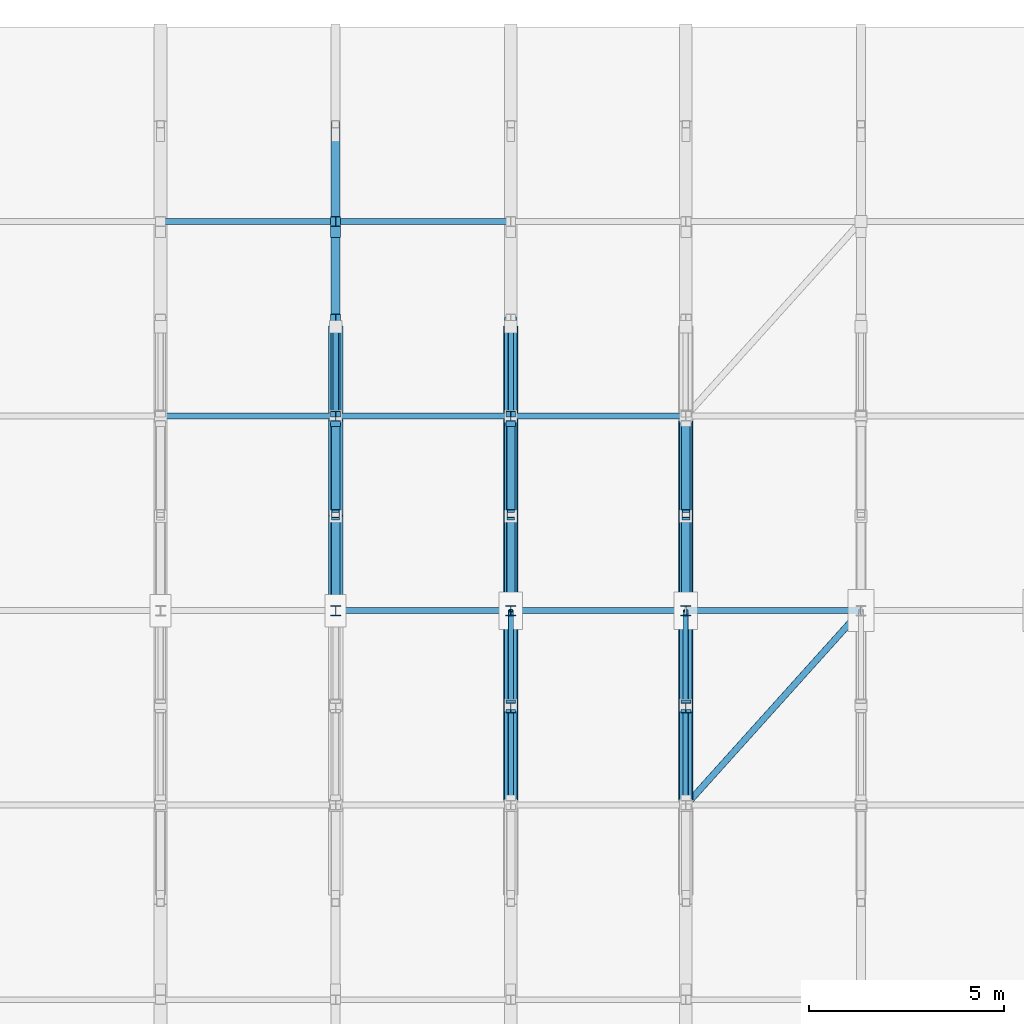
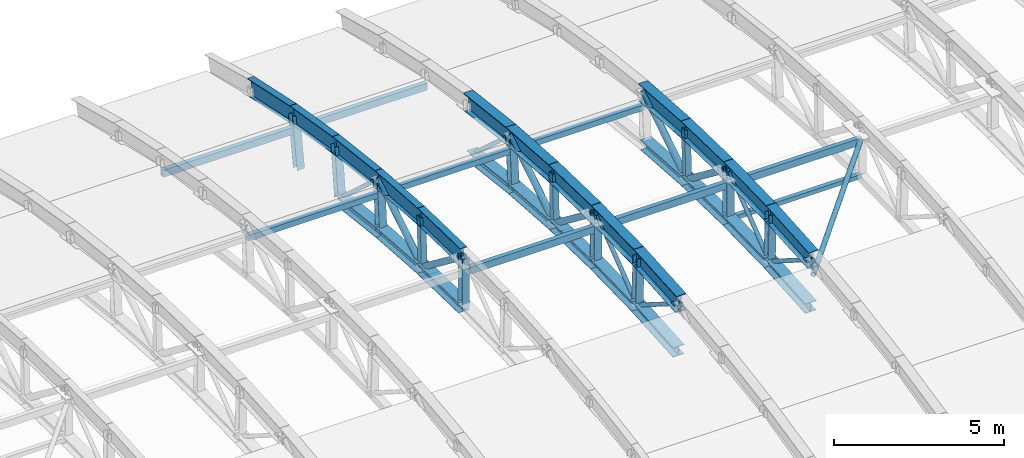
# One storey, part 13 of 53: 46 members, 14 beams.
"""IFC4 building model written with IfcOpenShell, lengths in metres."""

from ifc_helpers import new_model, si_unit, direction, frame, origin, origin_2d, place, context, subcontext, project, spatial, hollow_rectangle, hollow_circle, i_section, extrude, material, material_profile, profile_set, type_object, element, save


model = new_model("IFC4")

# Units and contexts
model_context = context("Model", 3, precision=1e-05, world=origin(), true_north=direction((0.0, 1.0)))
body_context = subcontext(model_context, "Body", "Model", "MODEL_VIEW")
ifc_project = project(units=[si_unit("LENGTHUNIT", "METRE"), si_unit("AREAUNIT", "SQUARE_METRE"), si_unit("VOLUMEUNIT", "CUBIC_METRE"), si_unit("PLANEANGLEUNIT", "RADIAN"), si_unit("MASSUNIT", "GRAM", prefix="KILO")], contexts=[model_context])

# Site, building, storey
site_placement = place(None, origin())
site = spatial("IfcSite", under=ifc_project, at=site_placement, CompositionType="ELEMENT")
building_placement = place(site_placement, origin())
building = spatial("IfcBuilding", under=site, at=building_placement, Name="Cazmaro Siding Exhibition Halls", CompositionType="ELEMENT")
storey_placement = place(building_placement, frame((0.0, 0.0, 21.0)))
storey = spatial("IfcBuildingStorey", under=building, at=storey_placement, Name="L04", CompositionType="ELEMENT", Elevation=21.0)

# Beams
ifc_material_1 = material(Name="Steel ASTM A992 Grade 50", Category="steel")
ifc_material_profile_1 = material_profile(ifc_material_1, i_section(OverallWidth=0.327880859375, OverallDepth=0.626953125, WebThickness=0.01708984375, FlangeThickness=0.028076171875, at=origin_2d()), Name="W24X146")
ifc_profile_set_1 = profile_set([ifc_material_profile_1], Name="Steel ASTM A992 Grade 50")
beam_type_1 = type_object("IfcBeamType", Name="AR-01", PredefinedType="USERDEFINED", material=ifc_profile_set_1)
beam_1_placement = place(storey_placement, frame((72.0, 89.0, 2.26611328125), z_axis=(0.0, 0.997537204184, 0.070139334669), x_axis=(-1.0, 0.0, 0.0)))
element("IfcBeam", 1, at=beam_1_placement, inside=storey, type_object=beam_type_1, Name="Space frame barrel vault arched rib AR-01 BM-0689", ObjectType="ARCHED RIB", PredefinedType="USERDEFINED", context=body_context, shape_type="SweptSolid", body=[
    extrude(i_section(OverallWidth=0.327880859375, OverallDepth=0.626953125, WebThickness=0.01708984375, FlangeThickness=0.028076171875, at=origin_2d()), origin(), (0.0, 0.0, 1.0), 2.506103515625),
])
for number, where, z_axis, x_axis, name in (
    (2, (72.0, 91.5, 2.44189453125), (0.0, 0.999730009742, 0.023235912336), (-1.0, 0.0, 0.0), "Space frame barrel vault arched rib AR-01 BM-0690"),
    (3, (72.0, 94.0, 2.5), (0.0, 0.999730009742, -0.023235912336), (-1.0, 0.0, 0.0), "Space frame barrel vault arched rib AR-01 BM-0691"),
):
    element("IfcBeam", number, at=place(storey_placement, frame(where, z_axis=z_axis, x_axis=x_axis)), inside=storey, type_object=beam_type_1, Name=name, ObjectType="ARCHED RIB", PredefinedType="USERDEFINED", context=body_context, shape_type="SweptSolid", body=[
        extrude(i_section(OverallWidth=0.327880859375, OverallDepth=0.626953125, WebThickness=0.01708984375, FlangeThickness=0.028076171875, at=origin_2d()), origin(), (0.0, 0.0, 1.0), 2.500732421875),
    ])
beam_2_placement = place(storey_placement, frame((72.0, 96.5, 2.44189453125), z_axis=(0.0, 0.997537204184, -0.070139334669), x_axis=(-1.0, 0.0, 0.0)))
element("IfcBeam", 4, at=beam_2_placement, inside=storey, type_object=beam_type_1, Name="Space frame barrel vault arched rib AR-01 BM-0692", ObjectType="ARCHED RIB", PredefinedType="USERDEFINED", context=body_context, shape_type="SweptSolid", body=[
    extrude(i_section(OverallWidth=0.327880859375, OverallDepth=0.626953125, WebThickness=0.01708984375, FlangeThickness=0.028076171875, at=origin_2d()), origin(), (0.0, 0.0, 1.0), 2.506103515625),
])
beam_3_placement = place(storey_placement, frame((72.0, 99.0, 2.26611328125), z_axis=(0.0, 0.993147293786, -0.116869383693), x_axis=(-1.0, 0.0, 0.0)))
element("IfcBeam", 5, at=beam_3_placement, inside=storey, type_object=beam_type_1, Name="Space frame barrel vault arched rib AR-01 BM-0693", ObjectType="ARCHED RIB", PredefinedType="USERDEFINED", context=body_context, shape_type="SweptSolid", body=[
    extrude(i_section(OverallWidth=0.327880859375, OverallDepth=0.626953125, WebThickness=0.01708984375, FlangeThickness=0.028076171875, at=origin_2d()), origin(), (0.0, 0.0, 1.0), 2.517333984375),
])
ifc_material_2 = material(Name="Steel ASTM A992 Grade 50", Category="steel")
ifc_material_profile_2 = material_profile(ifc_material_2, i_section(OverallWidth=0.324951171875, OverallDepth=0.612060546875, WebThickness=0.012939453125, FlangeThickness=0.01904296875, at=origin_2d()), Name="W24X104")
ifc_profile_set_2 = profile_set([ifc_material_profile_2], Name="Steel ASTM A992 Grade 50")
beam_type_2 = type_object("IfcBeamType", Name="AR-02", PredefinedType="USERDEFINED", material=ifc_profile_set_2)
beam_4_placement = place(storey_placement, frame((76.5, 89.0, 2.26611328125), z_axis=(0.0, 0.997537204184, 0.070139334669), x_axis=(-1.0, 0.0, 0.0)))
element("IfcBeam", 6, at=beam_4_placement, inside=storey, type_object=beam_type_2, Name="Space frame barrel vault arched rib AR-02 BM-0713", ObjectType="ARCHED RIB", PredefinedType="USERDEFINED", context=body_context, shape_type="SweptSolid", body=[
    extrude(i_section(OverallWidth=0.324951171875, OverallDepth=0.612060546875, WebThickness=0.012939453125, FlangeThickness=0.01904296875, at=origin_2d()), origin(), (0.0, 0.0, 1.0), 2.506103515625),
])
for number, where, z_axis, x_axis, name in (
    (7, (76.5, 91.5, 2.44189453125), (0.0, 0.999730009742, 0.023235912336), (-1.0, 0.0, 0.0), "Space frame barrel vault arched rib AR-02 BM-0714"),
    (8, (76.5, 94.0, 2.5), (0.0, 0.999730009742, -0.023235912336), (-1.0, 0.0, 0.0), "Space frame barrel vault arched rib AR-02 BM-0715"),
):
    element("IfcBeam", number, at=place(storey_placement, frame(where, z_axis=z_axis, x_axis=x_axis)), inside=storey, type_object=beam_type_2, Name=name, ObjectType="ARCHED RIB", PredefinedType="USERDEFINED", context=body_context, shape_type="SweptSolid", body=[
        extrude(i_section(OverallWidth=0.324951171875, OverallDepth=0.612060546875, WebThickness=0.012939453125, FlangeThickness=0.01904296875, at=origin_2d()), origin(), (0.0, 0.0, 1.0), 2.500732421875),
    ])
beam_5_placement = place(storey_placement, frame((76.5, 96.5, 2.44189453125), z_axis=(0.0, 0.997537204184, -0.070139334669), x_axis=(-1.0, 0.0, 0.0)))
element("IfcBeam", 9, at=beam_5_placement, inside=storey, type_object=beam_type_2, Name="Space frame barrel vault arched rib AR-02 BM-0716", ObjectType="ARCHED RIB", PredefinedType="USERDEFINED", context=body_context, shape_type="SweptSolid", body=[
    extrude(i_section(OverallWidth=0.324951171875, OverallDepth=0.612060546875, WebThickness=0.012939453125, FlangeThickness=0.01904296875, at=origin_2d()), origin(), (0.0, 0.0, 1.0), 2.506103515625),
])
ifc_material_3 = material(Name="Steel ASTM A992 Grade 50", Category="steel")
ifc_material_profile_3 = material_profile(ifc_material_3, i_section(OverallWidth=0.22900390625, OverallDepth=0.612060546875, WebThickness=0.011962890625, FlangeThickness=0.02001953125, at=origin_2d()), Name="W24X84")
ifc_profile_set_3 = profile_set([ifc_material_profile_3], Name="Steel ASTM A992 Grade 50")
beam_type_3 = type_object("IfcBeamType", Name="AR-03", PredefinedType="USERDEFINED", material=ifc_profile_set_3)
beam_6_placement = place(storey_placement, frame((67.5, 94.0, 2.5), z_axis=(0.0, 0.999730009742, -0.023235912336), x_axis=(-1.0, 0.0, 0.0)))
element("IfcBeam", 10, at=beam_6_placement, inside=storey, type_object=beam_type_3, Name="Space frame barrel vault arched rib AR-03 BM-0667", ObjectType="ARCHED RIB", PredefinedType="USERDEFINED", context=body_context, shape_type="SweptSolid", body=[
    extrude(i_section(OverallWidth=0.22900390625, OverallDepth=0.612060546875, WebThickness=0.011962890625, FlangeThickness=0.02001953125, at=origin_2d()), origin(), (0.0, 0.0, 1.0), 2.500732421875),
])
beam_7_placement = place(storey_placement, frame((67.5, 96.5, 2.44189453125), z_axis=(0.0, 0.997537204184, -0.070139334669), x_axis=(-1.0, 0.0, 0.0)))
element("IfcBeam", 11, at=beam_7_placement, inside=storey, type_object=beam_type_3, Name="Space frame barrel vault arched rib AR-03 BM-0668", ObjectType="ARCHED RIB", PredefinedType="USERDEFINED", context=body_context, shape_type="SweptSolid", body=[
    extrude(i_section(OverallWidth=0.22900390625, OverallDepth=0.612060546875, WebThickness=0.011962890625, FlangeThickness=0.02001953125, at=origin_2d()), origin(), (0.0, 0.0, 1.0), 2.506103515625),
])
beam_8_placement = place(storey_placement, frame((67.5, 99.0, 2.26611328125), z_axis=(0.0, 0.993147293786, -0.116869383693), x_axis=(-1.0, 0.0, 0.0)))
element("IfcBeam", 12, at=beam_8_placement, inside=storey, type_object=beam_type_3, Name="Space frame barrel vault arched rib AR-03 BM-0669", ObjectType="ARCHED RIB", PredefinedType="USERDEFINED", context=body_context, shape_type="SweptSolid", body=[
    extrude(i_section(OverallWidth=0.22900390625, OverallDepth=0.612060546875, WebThickness=0.011962890625, FlangeThickness=0.02001953125, at=origin_2d()), origin(), (0.0, 0.0, 1.0), 2.517333984375),
])
beam_9_placement = place(storey_placement, frame((67.5, 101.5, 1.971923828125), z_axis=(0.0, 0.98649787474, -0.163774061236), x_axis=(-1.0, 0.0, 0.0)))
element("IfcBeam", 13, at=beam_9_placement, inside=storey, type_object=beam_type_3, Name="Space frame barrel vault arched rib AR-03 BM-0670", ObjectType="ARCHED RIB", PredefinedType="USERDEFINED", context=body_context, shape_type="SweptSolid", body=[
    extrude(i_section(OverallWidth=0.22900390625, OverallDepth=0.612060546875, WebThickness=0.011962890625, FlangeThickness=0.02001953125, at=origin_2d()), origin(), (0.0, 0.0, 1.0), 2.5341796875),
])
beam_10_placement = place(storey_placement, frame((67.5, 104.0, 1.556884765625), z_axis=(0.0, 0.977710100146, -0.209959424826), x_axis=(-1.0, 0.0, 0.0)))
element("IfcBeam", 14, at=beam_10_placement, inside=storey, type_object=beam_type_3, Name="Space frame barrel vault arched rib AR-03 BM-0671", ObjectType="ARCHED RIB", PredefinedType="USERDEFINED", context=body_context, shape_type="SweptSolid", body=[
    extrude(i_section(OverallWidth=0.22900390625, OverallDepth=0.612060546875, WebThickness=0.011962890625, FlangeThickness=0.02001953125, at=origin_2d()), origin(), (0.0, 0.0, 1.0), 2.556884765625),
])

# Members
ifc_material_4 = material(Name="Steel ASTM A500 Grade C", Category="steel")
ifc_material_profile_4 = material_profile(ifc_material_4, hollow_rectangle(XDim=0.152099609375, YDim=0.152099609375, WallThickness=0.009033203125, at=origin_2d()), Name="HSS6X6X3/8")
ifc_profile_set_4 = profile_set([ifc_material_profile_4], Name="Steel ASTM A500 Grade C")
member_type_1 = type_object("IfcMemberType", Name="CS-01", PredefinedType="STRUT", material=ifc_profile_set_4)
member_1_placement = place(storey_placement, frame((76.5, 94.0, 0.699951171875), z_axis=(1.0, 0.0, 0.0), x_axis=(0.0, 1.0, 0.0)))
element("IfcMember", 15, at=member_1_placement, inside=storey, type_object=member_type_1, Name="Space frame vault ridge compression strut CS-01 MEM-2062", PredefinedType="STRUT", context=body_context, shape_type="SweptSolid", body=[
    extrude(hollow_rectangle(XDim=0.152099609375, YDim=0.152099609375, WallThickness=0.009033203125, at=origin_2d()), origin(), (0.0, 0.0, 1.0), 4.5),
])
ifc_material_5 = material(Name="Steel ASTM A500 Grade C", Category="steel")
ifc_material_profile_5 = material_profile(ifc_material_5, hollow_rectangle(XDim=0.152099609375, YDim=0.202880859375, WallThickness=0.011962890625, at=origin_2d()), Name="HSS8X6X1/2")
ifc_profile_set_5 = profile_set([ifc_material_profile_5], Name="Steel ASTM A500 Grade C")
member_type_2 = type_object("IfcMemberType", Name="RP-01", PredefinedType="PURLIN", material=ifc_profile_set_5)
for number, where, z_axis, x_axis, name in (
    (16, (63.0, 99.0, 1.72607421875), (1.0, 0.0, 0.0), (0.0, 1.0, 0.0), "Space frame barrel vault purlin RP-01 MEM-2020"),
    (17, (67.5, 99.0, 1.72607421875), (1.0, 0.0, 0.0), (0.0, 1.0, 0.0), "Space frame barrel vault purlin RP-01 MEM-2031"),
    (18, (72.0, 99.0, 1.72607421875), (1.0, 0.0, 0.0), (0.0, 1.0, 0.0), "Space frame barrel vault purlin RP-01 MEM-2042"),
):
    element("IfcMember", number, at=place(storey_placement, frame(where, z_axis=z_axis, x_axis=x_axis)), inside=storey, type_object=member_type_2, Name=name, PredefinedType="PURLIN", context=body_context, shape_type="SweptSolid", body=[
        extrude(hollow_rectangle(XDim=0.152099609375, YDim=0.202880859375, WallThickness=0.011962890625, at=origin_2d()), origin(), (0.0, 0.0, 1.0), 4.5),
    ])
ifc_material_6 = material(Name="Steel ASTM A500 Grade C", Category="steel")
ifc_material_profile_6 = material_profile(ifc_material_6, hollow_rectangle(XDim=0.152099609375, YDim=0.25390625, WallThickness=0.011962890625, at=origin_2d()), Name="HSS10X6X1/2")
ifc_profile_set_6 = profile_set([ifc_material_profile_6], Name="Steel ASTM A500 Grade C")
member_type_3 = type_object("IfcMemberType", Name="RP-04", PredefinedType="PURLIN", material=ifc_profile_set_6)
for number, where, z_axis, x_axis, name in (
    (19, (63.0, 104.0, 1.01708984375), (1.0, 0.0, 0.0), (0.0, 1.0, 0.0), "Space frame barrel vault purlin RP-04 MEM-2021"),
    (20, (67.5, 94.0, 1.9599609375), (1.0, 0.0, 0.0), (0.0, 1.0, 0.0), "Space frame barrel vault purlin RP-04 MEM-2030"),
    (21, (67.5, 104.0, 1.01708984375), (1.0, 0.0, 0.0), (0.0, 1.0, 0.0), "Space frame barrel vault purlin RP-04 MEM-2032"),
    (22, (72.0, 94.0, 1.9599609375), (1.0, 0.0, 0.0), (0.0, 1.0, 0.0), "Space frame barrel vault purlin RP-04 MEM-2041"),
    (23, (76.5, 94.0, 1.9599609375), (1.0, 0.0, 0.0), (0.0, 1.0, 0.0), "Space frame barrel vault purlin RP-04 MEM-2052"),
):
    element("IfcMember", number, at=place(storey_placement, frame(where, z_axis=z_axis, x_axis=x_axis)), inside=storey, type_object=member_type_3, Name=name, PredefinedType="PURLIN", context=body_context, shape_type="SweptSolid", body=[
        extrude(hollow_rectangle(XDim=0.152099609375, YDim=0.25390625, WallThickness=0.011962890625, at=origin_2d()), origin(), (0.0, 0.0, 1.0), 4.5),
    ])
ifc_material_7 = material(Name="Steel ASTM A992 Grade 50", Category="steel")
ifc_material_profile_7 = material_profile(ifc_material_7, i_section(OverallWidth=0.37109375, OverallDepth=0.364013671875, WebThickness=0.012939453125, FlangeThickness=0.02197265625, at=origin_2d()), Name="W14X109")
ifc_profile_set_7 = profile_set([ifc_material_profile_7], Name="Steel ASTM A992 Grade 50")
member_type_4 = type_object("IfcMemberType", Name="TC-06", PredefinedType="CHORD", material=ifc_profile_set_7)
member_2_placement = place(storey_placement, frame((67.5, 94.0, 0.699951171875), z_axis=(0.0, 0.99973541783, -0.023002050707), x_axis=(-1.0, 0.0, 0.0)))
element("IfcMember", 24, at=member_2_placement, inside=storey, type_object=member_type_4, Name="Space frame barrel vault bottom chord TC-06 MEM-0332", PredefinedType="CHORD", context=body_context, shape_type="SweptSolid", body=[
    extrude(i_section(OverallWidth=0.37109375, OverallDepth=0.364013671875, WebThickness=0.012939453125, FlangeThickness=0.02197265625, at=origin_2d()), origin(), (0.0, 0.0, 1.0), 2.4306640625),
])
member_3_placement = place(storey_placement, frame((67.5, 96.429931640625, 0.64404296875), z_axis=(0.0, 0.997529419526, -0.070249962135), x_axis=(-1.0, 0.0, 0.0)))
element("IfcMember", 25, at=member_3_placement, inside=storey, type_object=member_type_4, Name="Space frame barrel vault bottom chord TC-06 MEM-0334", PredefinedType="CHORD", context=body_context, shape_type="SweptSolid", body=[
    extrude(i_section(OverallWidth=0.37109375, OverallDepth=0.364013671875, WebThickness=0.012939453125, FlangeThickness=0.02197265625, at=origin_2d()), origin(), (0.0, 0.0, 1.0), 2.436279296875),
])
member_4_placement = place(storey_placement, frame((67.5, 98.860107421875, 0.472900390625), z_axis=(0.0, 0.993149923187, -0.116847037079), x_axis=(-1.0, 0.0, 0.0)))
element("IfcMember", 26, at=member_4_placement, inside=storey, type_object=member_type_4, Name="Space frame barrel vault bottom chord TC-06 MEM-0336", PredefinedType="CHORD", context=body_context, shape_type="SweptSolid", body=[
    extrude(i_section(OverallWidth=0.37109375, OverallDepth=0.364013671875, WebThickness=0.012939453125, FlangeThickness=0.02197265625, at=origin_2d()), origin(), (0.0, 0.0, 1.0), 2.44677734375),
])
member_5_placement = place(storey_placement, frame((72.0, 89.139892578125, 0.472900390625), z_axis=(0.0, 0.997529419526, 0.070249962135), x_axis=(-1.0, 0.0, 0.0)))
element("IfcMember", 27, at=member_5_placement, inside=storey, type_object=member_type_4, Name="Space frame barrel vault bottom chord TC-06 MEM-0399", PredefinedType="CHORD", context=body_context, shape_type="SweptSolid", body=[
    extrude(i_section(OverallWidth=0.37109375, OverallDepth=0.364013671875, WebThickness=0.012939453125, FlangeThickness=0.02197265625, at=origin_2d()), origin(), (0.0, 0.0, 1.0), 2.436279296875),
])
for number, where, z_axis, x_axis, name in (
    (28, (72.0, 91.570068359375, 0.64404296875), (0.0, 0.99973541783, 0.023002050707), (-1.0, 0.0, 0.0), "Space frame barrel vault bottom chord TC-06 MEM-0401"),
    (29, (72.0, 94.0, 0.699951171875), (0.0, 0.99973541783, -0.023002050707), (-1.0, 0.0, 0.0), "Space frame barrel vault bottom chord TC-06 MEM-0403"),
):
    element("IfcMember", number, at=place(storey_placement, frame(where, z_axis=z_axis, x_axis=x_axis)), inside=storey, type_object=member_type_4, Name=name, PredefinedType="CHORD", context=body_context, shape_type="SweptSolid", body=[
        extrude(i_section(OverallWidth=0.37109375, OverallDepth=0.364013671875, WebThickness=0.012939453125, FlangeThickness=0.02197265625, at=origin_2d()), origin(), (0.0, 0.0, 1.0), 2.4306640625),
    ])
member_6_placement = place(storey_placement, frame((72.0, 96.429931640625, 0.64404296875), z_axis=(0.0, 0.997529419526, -0.070249962135), x_axis=(-1.0, 0.0, 0.0)))
element("IfcMember", 30, at=member_6_placement, inside=storey, type_object=member_type_4, Name="Space frame barrel vault bottom chord TC-06 MEM-0405", PredefinedType="CHORD", context=body_context, shape_type="SweptSolid", body=[
    extrude(i_section(OverallWidth=0.37109375, OverallDepth=0.364013671875, WebThickness=0.012939453125, FlangeThickness=0.02197265625, at=origin_2d()), origin(), (0.0, 0.0, 1.0), 2.436279296875),
])
member_7_placement = place(storey_placement, frame((72.0, 98.860107421875, 0.472900390625), z_axis=(0.0, 0.993149923187, -0.116847037079), x_axis=(-1.0, 0.0, 0.0)))
element("IfcMember", 31, at=member_7_placement, inside=storey, type_object=member_type_4, Name="Space frame barrel vault bottom chord TC-06 MEM-0407", PredefinedType="CHORD", context=body_context, shape_type="SweptSolid", body=[
    extrude(i_section(OverallWidth=0.37109375, OverallDepth=0.364013671875, WebThickness=0.012939453125, FlangeThickness=0.02197265625, at=origin_2d()), origin(), (0.0, 0.0, 1.0), 2.44677734375),
])
member_8_placement = place(storey_placement, frame((76.5, 89.139892578125, 0.472900390625), z_axis=(0.0, 0.997529419526, 0.070249962135), x_axis=(-1.0, 0.0, 0.0)))
element("IfcMember", 32, at=member_8_placement, inside=storey, type_object=member_type_4, Name="Space frame barrel vault bottom chord TC-06 MEM-0470", PredefinedType="CHORD", context=body_context, shape_type="SweptSolid", body=[
    extrude(i_section(OverallWidth=0.37109375, OverallDepth=0.364013671875, WebThickness=0.012939453125, FlangeThickness=0.02197265625, at=origin_2d()), origin(), (0.0, 0.0, 1.0), 2.436279296875),
])
for number, where, z_axis, x_axis, name in (
    (33, (76.5, 91.570068359375, 0.64404296875), (0.0, 0.99973541783, 0.023002050707), (-1.0, 0.0, 0.0), "Space frame barrel vault bottom chord TC-06 MEM-0472"),
    (34, (76.5, 94.0, 0.699951171875), (0.0, 0.99973541783, -0.023002050707), (-1.0, 0.0, 0.0), "Space frame barrel vault bottom chord TC-06 MEM-0474"),
):
    element("IfcMember", number, at=place(storey_placement, frame(where, z_axis=z_axis, x_axis=x_axis)), inside=storey, type_object=member_type_4, Name=name, PredefinedType="CHORD", context=body_context, shape_type="SweptSolid", body=[
        extrude(i_section(OverallWidth=0.37109375, OverallDepth=0.364013671875, WebThickness=0.012939453125, FlangeThickness=0.02197265625, at=origin_2d()), origin(), (0.0, 0.0, 1.0), 2.4306640625),
    ])
member_9_placement = place(storey_placement, frame((76.5, 96.429931640625, 0.64404296875), z_axis=(0.0, 0.997529419526, -0.070249962135), x_axis=(-1.0, 0.0, 0.0)))
element("IfcMember", 35, at=member_9_placement, inside=storey, type_object=member_type_4, Name="Space frame barrel vault bottom chord TC-06 MEM-0476", PredefinedType="CHORD", context=body_context, shape_type="SweptSolid", body=[
    extrude(i_section(OverallWidth=0.37109375, OverallDepth=0.364013671875, WebThickness=0.012939453125, FlangeThickness=0.02197265625, at=origin_2d()), origin(), (0.0, 0.0, 1.0), 2.436279296875),
])
ifc_material_8 = material(Name="Steel ASTM A500 Grade C", Category="steel")
ifc_material_profile_8 = material_profile(ifc_material_8, hollow_rectangle(XDim=0.202880859375, YDim=0.202880859375, WallThickness=0.011962890625, at=origin_2d()), Name="HSS8X8X1/2")
ifc_profile_set_8 = profile_set([ifc_material_profile_8], Name="Steel ASTM A500 Grade C")
member_type_5 = type_object("IfcMemberType", Name="TP-01", PredefinedType="POST", material=ifc_profile_set_8)
for number, where, z_axis, x_axis, name in (
    (36, (67.5, 96.429931640625, 0.64404296875), (0.0, 0.038943818889, 0.999241401749), (-1.0, 0.0, 0.0), "Space frame barrel vault post TP-01 MEM-0368"),
    (37, (72.0, 96.429931640625, 0.64404296875), (0.0, 0.038943818889, 0.999241401749), (-1.0, 0.0, 0.0), "Space frame barrel vault post TP-01 MEM-0439"),
    (38, (76.5, 96.429931640625, 0.64404296875), (0.0, 0.038943818889, 0.999241401749), (-1.0, 0.0, 0.0), "Space frame barrel vault post TP-01 MEM-0510"),
):
    element("IfcMember", number, at=place(storey_placement, frame(where, z_axis=z_axis, x_axis=x_axis)), inside=storey, type_object=member_type_5, Name=name, PredefinedType="POST", context=body_context, shape_type="SweptSolid", body=[
        extrude(hollow_rectangle(XDim=0.202880859375, YDim=0.202880859375, WallThickness=0.011962890625, at=origin_2d()), origin(), (0.0, 0.0, 1.0), 1.79931640625),
    ])
ifc_material_9 = material(Name="Steel ASTM A992 Grade 50", Category="steel")
ifc_material_profile_9 = material_profile(ifc_material_9, i_section(OverallWidth=0.25390625, OverallDepth=0.25390625, WebThickness=0.009033203125, FlangeThickness=0.013916015625, at=origin_2d()), Name="W10X49")
ifc_profile_set_9 = profile_set([ifc_material_profile_9], Name="Steel ASTM A992 Grade 50")
member_type_6 = type_object("IfcMemberType", Name="TP-04", PredefinedType="POST", material=ifc_profile_set_9)
member_10_placement = place(storey_placement, frame((67.5, 94.0, 0.699951171875), z_axis=(0.0, 0.0, 1.0), x_axis=(1.0, 0.0, 0.0)))
element("IfcMember", 39, at=member_10_placement, inside=storey, type_object=member_type_6, Name="Space frame barrel vault post TP-04 MEM-0367", PredefinedType="POST", context=body_context, shape_type="SweptSolid", body=[
    extrude(i_section(OverallWidth=0.25390625, OverallDepth=0.25390625, WebThickness=0.009033203125, FlangeThickness=0.013916015625, at=origin_2d()), origin(), (0.0, 0.0, 1.0), 1.800048828125),
])
member_11_placement = place(storey_placement, frame((67.5, 98.860107421875, 0.472900390625), z_axis=(0.0, 0.077775943468, 0.996970863475), x_axis=(-1.0, 0.0, 0.0)))
element("IfcMember", 40, at=member_11_placement, inside=storey, type_object=member_type_6, Name="Space frame barrel vault post TP-04 MEM-0369", PredefinedType="POST", context=body_context, shape_type="SweptSolid", body=[
    extrude(i_section(OverallWidth=0.25390625, OverallDepth=0.25390625, WebThickness=0.009033203125, FlangeThickness=0.013916015625, at=origin_2d()), origin(), (0.0, 0.0, 1.0), 1.798583984375),
])
member_12_placement = place(storey_placement, frame((67.5, 101.2900390625, 0.18701171875), z_axis=(0.0, 0.116825484133, 0.993152458718), x_axis=(-1.0, 0.0, 0.0)))
element("IfcMember", 41, at=member_12_placement, inside=storey, type_object=member_type_6, Name="Space frame barrel vault post TP-04 MEM-0370", PredefinedType="POST", context=body_context, shape_type="SweptSolid", body=[
    extrude(i_section(OverallWidth=0.25390625, OverallDepth=0.25390625, WebThickness=0.009033203125, FlangeThickness=0.013916015625, at=origin_2d()), origin(), (0.0, 0.0, 1.0), 1.797119140625),
])
member_13_placement = place(storey_placement, frame((67.5, 103.719970703125, -0.217041015625), z_axis=(0.0, 0.155927668857, 0.987768475952), x_axis=(-1.0, 0.0, 0.0)))
element("IfcMember", 42, at=member_13_placement, inside=storey, type_object=member_type_6, Name="Space frame barrel vault post TP-04 MEM-0371", PredefinedType="POST", context=body_context, shape_type="SweptSolid", body=[
    extrude(i_section(OverallWidth=0.25390625, OverallDepth=0.25390625, WebThickness=0.009033203125, FlangeThickness=0.013916015625, at=origin_2d()), origin(), (0.0, 0.0, 1.0), 1.7958984375),
])
member_14_placement = place(storey_placement, frame((72.0, 91.570068359375, 0.64404296875), z_axis=(0.0, -0.038943818889, 0.999241401749), x_axis=(1.0, 0.0, 0.0)))
element("IfcMember", 43, at=member_14_placement, inside=storey, type_object=member_type_6, Name="Space frame barrel vault post TP-04 MEM-0437", PredefinedType="POST", context=body_context, shape_type="SweptSolid", body=[
    extrude(i_section(OverallWidth=0.25390625, OverallDepth=0.25390625, WebThickness=0.009033203125, FlangeThickness=0.013916015625, at=origin_2d()), origin(), (0.0, 0.0, 1.0), 1.79931640625),
])
member_15_placement = place(storey_placement, frame((72.0, 94.0, 0.699951171875), z_axis=(0.0, 0.0, 1.0), x_axis=(1.0, 0.0, 0.0)))
element("IfcMember", 44, at=member_15_placement, inside=storey, type_object=member_type_6, Name="Space frame barrel vault post TP-04 MEM-0438", PredefinedType="POST", context=body_context, shape_type="SweptSolid", body=[
    extrude(i_section(OverallWidth=0.25390625, OverallDepth=0.25390625, WebThickness=0.009033203125, FlangeThickness=0.013916015625, at=origin_2d()), origin(), (0.0, 0.0, 1.0), 1.800048828125),
])
member_16_placement = place(storey_placement, frame((72.0, 98.860107421875, 0.472900390625), z_axis=(0.0, 0.077775943468, 0.996970863475), x_axis=(-1.0, 0.0, 0.0)))
element("IfcMember", 45, at=member_16_placement, inside=storey, type_object=member_type_6, Name="Space frame barrel vault post TP-04 MEM-0440", PredefinedType="POST", context=body_context, shape_type="SweptSolid", body=[
    extrude(i_section(OverallWidth=0.25390625, OverallDepth=0.25390625, WebThickness=0.009033203125, FlangeThickness=0.013916015625, at=origin_2d()), origin(), (0.0, 0.0, 1.0), 1.798583984375),
])
member_17_placement = place(storey_placement, frame((76.5, 91.570068359375, 0.64404296875), z_axis=(0.0, -0.038943818889, 0.999241401749), x_axis=(1.0, 0.0, 0.0)))
element("IfcMember", 46, at=member_17_placement, inside=storey, type_object=member_type_6, Name="Space frame barrel vault post TP-04 MEM-0508", PredefinedType="POST", context=body_context, shape_type="SweptSolid", body=[
    extrude(i_section(OverallWidth=0.25390625, OverallDepth=0.25390625, WebThickness=0.009033203125, FlangeThickness=0.013916015625, at=origin_2d()), origin(), (0.0, 0.0, 1.0), 1.79931640625),
])
member_18_placement = place(storey_placement, frame((76.5, 94.0, 0.699951171875), z_axis=(0.0, 0.0, 1.0), x_axis=(1.0, 0.0, 0.0)))
element("IfcMember", 47, at=member_18_placement, inside=storey, type_object=member_type_6, Name="Space frame barrel vault post TP-04 MEM-0509", PredefinedType="POST", context=body_context, shape_type="SweptSolid", body=[
    extrude(i_section(OverallWidth=0.25390625, OverallDepth=0.25390625, WebThickness=0.009033203125, FlangeThickness=0.013916015625, at=origin_2d()), origin(), (0.0, 0.0, 1.0), 1.800048828125),
])
ifc_material_10 = material(Name="Steel ASTM A500 Grade C", Category="steel")
ifc_material_profile_10 = material_profile(ifc_material_10, hollow_circle(Radius=0.109619140625, WallThickness=0.012939453125, at=origin_2d()), Name="PIPE8XS")
ifc_profile_set_10 = profile_set([ifc_material_profile_10], Name="Steel ASTM A500 Grade C")
member_type_7 = type_object("IfcMemberType", Name="WB-01", PredefinedType="BRACE", material=ifc_profile_set_10)
member_19_placement = place(storey_placement, frame((67.5, 94.0, 2.5), z_axis=(0.0, 0.794708988455, -0.60699062898), x_axis=(-1.0, 0.0, 0.0)))
element("IfcMember", 48, at=member_19_placement, inside=storey, type_object=member_type_7, Name="Space frame barrel vault diagonal WB-01 MEM-0333", PredefinedType="BRACE", context=body_context, shape_type="SweptSolid", body=[
    extrude(hollow_circle(Radius=0.109619140625, WallThickness=0.012939453125, at=origin_2d()), origin(), (0.0, 0.0, 1.0), 3.0576171875),
])
member_20_placement = place(storey_placement, frame((67.5, 96.429931640625, 0.64404296875), z_axis=(0.0, 0.84565684294, 0.533726993872), x_axis=(-1.0, 0.0, 0.0)))
element("IfcMember", 49, at=member_20_placement, inside=storey, type_object=member_type_7, Name="Space frame barrel vault diagonal WB-01 MEM-0335", PredefinedType="BRACE", context=body_context, shape_type="SweptSolid", body=[
    extrude(hollow_circle(Radius=0.109619140625, WallThickness=0.012939453125, at=origin_2d()), origin(), (0.0, 0.0, 1.0), 3.0390625),
])
member_21_placement = place(storey_placement, frame((72.0, 94.0, 2.5), z_axis=(0.0, 0.794708988455, -0.60699062898), x_axis=(-1.0, 0.0, 0.0)))
element("IfcMember", 50, at=member_21_placement, inside=storey, type_object=member_type_7, Name="Space frame barrel vault diagonal WB-01 MEM-0404", PredefinedType="BRACE", context=body_context, shape_type="SweptSolid", body=[
    extrude(hollow_circle(Radius=0.109619140625, WallThickness=0.012939453125, at=origin_2d()), origin(), (0.0, 0.0, 1.0), 3.0576171875),
])
member_22_placement = place(storey_placement, frame((72.0, 96.429931640625, 0.64404296875), z_axis=(0.0, 0.84565684294, 0.533726993872), x_axis=(-1.0, 0.0, 0.0)))
element("IfcMember", 51, at=member_22_placement, inside=storey, type_object=member_type_7, Name="Space frame barrel vault diagonal WB-01 MEM-0406", PredefinedType="BRACE", context=body_context, shape_type="SweptSolid", body=[
    extrude(hollow_circle(Radius=0.109619140625, WallThickness=0.012939453125, at=origin_2d()), origin(), (0.0, 0.0, 1.0), 3.0390625),
])
member_23_placement = place(storey_placement, frame((76.5, 94.0, 2.5), z_axis=(0.0, 0.794708988455, -0.60699062898), x_axis=(-1.0, 0.0, 0.0)))
element("IfcMember", 52, at=member_23_placement, inside=storey, type_object=member_type_7, Name="Space frame barrel vault diagonal WB-01 MEM-0475", PredefinedType="BRACE", context=body_context, shape_type="SweptSolid", body=[
    extrude(hollow_circle(Radius=0.109619140625, WallThickness=0.012939453125, at=origin_2d()), origin(), (0.0, 0.0, 1.0), 3.0576171875),
])
member_24_placement = place(storey_placement, frame((76.5, 96.429931640625, 0.64404296875), z_axis=(0.0, 0.84565684294, 0.533726993872), x_axis=(-1.0, 0.0, 0.0)))
element("IfcMember", 53, at=member_24_placement, inside=storey, type_object=member_type_7, Name="Space frame barrel vault diagonal WB-01 MEM-0477", PredefinedType="BRACE", context=body_context, shape_type="SweptSolid", body=[
    extrude(hollow_circle(Radius=0.109619140625, WallThickness=0.012939453125, at=origin_2d()), origin(), (0.0, 0.0, 1.0), 3.0390625),
])
ifc_material_11 = material(Name="Steel ASTM A500 Grade C", Category="steel")
ifc_material_profile_11 = material_profile(ifc_material_11, hollow_circle(Radius=0.083984375, WallThickness=0.01806640625, at=origin_2d()), Name="PIPE6XXS")
ifc_profile_set_11 = profile_set([ifc_material_profile_11], Name="Steel ASTM A500 Grade C")
member_type_8 = type_object("IfcMemberType", Name="WB-05", PredefinedType="BRACE", material=ifc_profile_set_11)
member_25_placement = place(storey_placement, frame((76.5, 89.0, 1.72607421875), z_axis=(0.668560740132, 0.742845266814, 0.034748328399), x_axis=(-0.743294146247, 0.668964731622, 0.0)))
element("IfcMember", 54, at=member_25_placement, inside=storey, type_object=member_type_8, Name="Space frame barrel vault wind brace WB-05 MEM-2059", PredefinedType="BRACE", context=body_context, shape_type="SweptSolid", body=[
    extrude(hollow_circle(Radius=0.083984375, WallThickness=0.01806640625, at=origin_2d()), origin(), (0.0, 0.0, 1.0), 6.73095703125),
])
ifc_material_12 = material(Name="Steel ASTM A500 Grade C", Category="steel")
ifc_material_profile_12 = material_profile(ifc_material_12, hollow_circle(Radius=0.070556640625, WallThickness=0.01904296875, at=origin_2d()), Name="PIPE5XXS")
ifc_profile_set_12 = profile_set([ifc_material_profile_12], Name="Steel ASTM A500 Grade C")
member_type_9 = type_object("IfcMemberType", Name="WB-07", PredefinedType="BRACE", material=ifc_profile_set_12)
member_26_placement = place(storey_placement, frame((67.5, 99.0, 2.26611328125), z_axis=(0.0, 0.740382789782, -0.672185483772), x_axis=(-1.0, 0.0, 0.0)))
element("IfcMember", 55, at=member_26_placement, inside=storey, type_object=member_type_9, Name="Space frame barrel vault diagonal WB-07 MEM-0337", PredefinedType="BRACE", context=body_context, shape_type="SweptSolid", body=[
    extrude(hollow_circle(Radius=0.070556640625, WallThickness=0.01904296875, at=origin_2d()), origin(), (0.0, 0.0, 1.0), 3.093017578125),
])
member_27_placement = place(storey_placement, frame((72.0, 89.0, 2.26611328125), z_axis=(0.0, 0.84565684294, -0.533726993872), x_axis=(-1.0, 0.0, 0.0)))
element("IfcMember", 56, at=member_27_placement, inside=storey, type_object=member_type_9, Name="Space frame barrel vault diagonal WB-07 MEM-0400", PredefinedType="BRACE", context=body_context, shape_type="SweptSolid", body=[
    extrude(hollow_circle(Radius=0.070556640625, WallThickness=0.01904296875, at=origin_2d()), origin(), (0.0, 0.0, 1.0), 3.0390625),
])
member_28_placement = place(storey_placement, frame((72.0, 91.570068359375, 0.64404296875), z_axis=(0.0, 0.794708988455, 0.60699062898), x_axis=(-1.0, 0.0, 0.0)))
element("IfcMember", 57, at=member_28_placement, inside=storey, type_object=member_type_9, Name="Space frame barrel vault diagonal WB-07 MEM-0402", PredefinedType="BRACE", context=body_context, shape_type="SweptSolid", body=[
    extrude(hollow_circle(Radius=0.070556640625, WallThickness=0.01904296875, at=origin_2d()), origin(), (0.0, 0.0, 1.0), 3.0576171875),
])
member_29_placement = place(storey_placement, frame((72.0, 99.0, 2.26611328125), z_axis=(0.0, 0.740382789782, -0.672185483772), x_axis=(-1.0, 0.0, 0.0)))
element("IfcMember", 58, at=member_29_placement, inside=storey, type_object=member_type_9, Name="Space frame barrel vault diagonal WB-07 MEM-0408", PredefinedType="BRACE", context=body_context, shape_type="SweptSolid", body=[
    extrude(hollow_circle(Radius=0.070556640625, WallThickness=0.01904296875, at=origin_2d()), origin(), (0.0, 0.0, 1.0), 3.093017578125),
])
member_30_placement = place(storey_placement, frame((76.5, 89.0, 2.26611328125), z_axis=(0.0, 0.84565684294, -0.533726993872), x_axis=(-1.0, 0.0, 0.0)))
element("IfcMember", 59, at=member_30_placement, inside=storey, type_object=member_type_9, Name="Space frame barrel vault diagonal WB-07 MEM-0471", PredefinedType="BRACE", context=body_context, shape_type="SweptSolid", body=[
    extrude(hollow_circle(Radius=0.070556640625, WallThickness=0.01904296875, at=origin_2d()), origin(), (0.0, 0.0, 1.0), 3.0390625),
])
member_31_placement = place(storey_placement, frame((76.5, 91.570068359375, 0.64404296875), z_axis=(0.0, 0.794708988455, 0.60699062898), x_axis=(-1.0, 0.0, 0.0)))
element("IfcMember", 60, at=member_31_placement, inside=storey, type_object=member_type_9, Name="Space frame barrel vault diagonal WB-07 MEM-0473", PredefinedType="BRACE", context=body_context, shape_type="SweptSolid", body=[
    extrude(hollow_circle(Radius=0.070556640625, WallThickness=0.01904296875, at=origin_2d()), origin(), (0.0, 0.0, 1.0), 3.0576171875),
])

save(model, "model.ifc")
